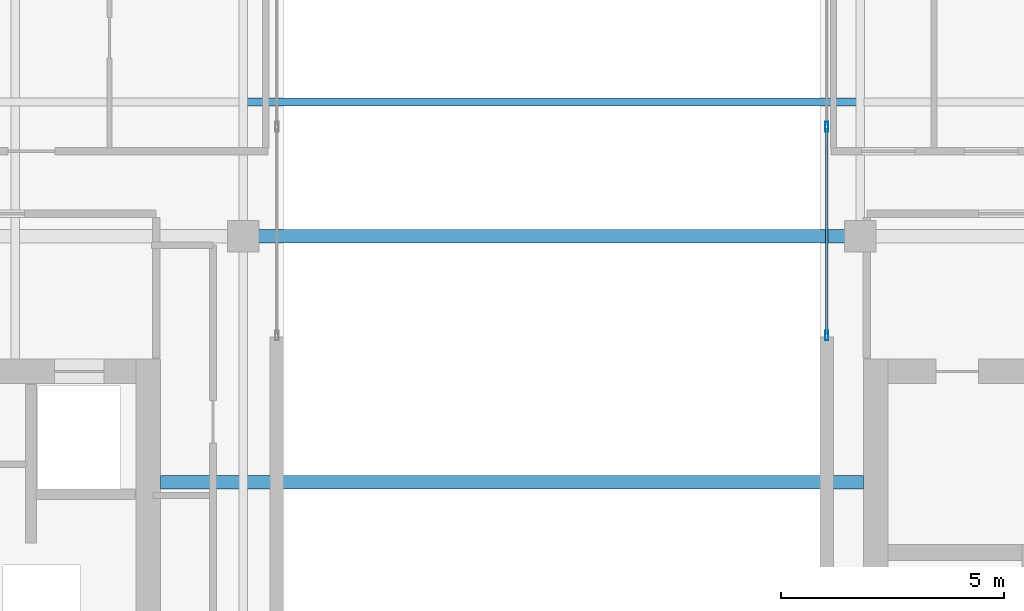
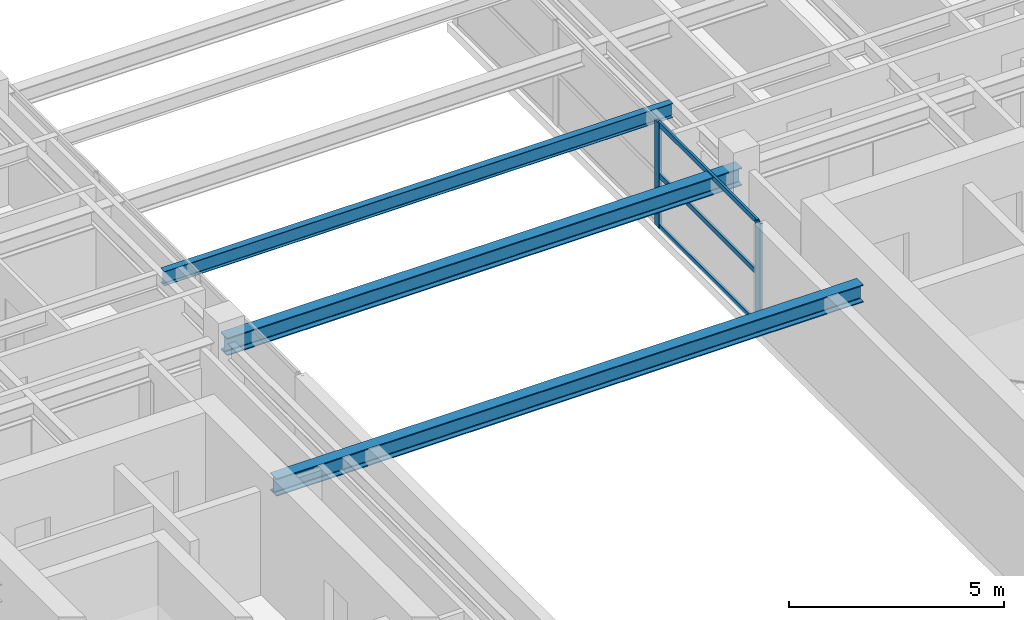
# One storey, part 11 of 25: 5 members, 3 beams, 1 element without a shape of its own.
"""IFC4 building model written with IfcOpenShell, lengths in metres."""

from ifc_helpers import new_model, si_unit, direction, frame, origin, origin_2d, place, context, subcontext, project, spatial, hollow_rectangle, i_section, extrude, source, transform, mapped, material, layer, layer_set, material_profile, profile_set, type_object, element, aggregate, save


model = new_model("IFC4")

# Units and contexts
model_context = context("Model", 3, precision=1e-05, world=origin(), true_north=direction((0.0, 1.0)))
body_context = subcontext(model_context, "Body", "Model", "MODEL_VIEW")
ifc_project = project(units=[si_unit("LENGTHUNIT", "METRE"), si_unit("AREAUNIT", "SQUARE_METRE"), si_unit("VOLUMEUNIT", "CUBIC_METRE"), si_unit("PLANEANGLEUNIT", "RADIAN"), si_unit("MASSUNIT", "GRAM", prefix="KILO")], contexts=[model_context])

# Site, building, storey
site_placement = place(None, origin())
site = spatial("IfcSite", under=ifc_project, at=site_placement, CompositionType="ELEMENT")
building_placement = place(site_placement, origin())
building = spatial("IfcBuilding", under=site, at=building_placement, Name="Khoralis Quay Care Tower", CompositionType="ELEMENT")
storey_placement = place(building_placement, frame((0.0, 0.0, 263.699951171875)))
storey = spatial("IfcBuildingStorey", under=building, at=storey_placement, Name="L69", CompositionType="ELEMENT", Elevation=263.699951171875)

# Beams
ifc_material_1 = material(Name="Steel S355", Category="steel")
ifc_material_profile_1 = material_profile(ifc_material_1, i_section(OverallWidth=0.300048828125, OverallDepth=0.5, WebThickness=0.014404296875, FlangeThickness=0.028076171875, FilletRadius=0.027099609375, at=origin_2d()), Name="Steel S355")
ifc_profile_set_1 = profile_set([ifc_material_profile_1], Name="Steel S355")
beam_type_1 = type_object("IfcBeamType", Name="BM-HEB500", PredefinedType="BEAM", material=ifc_profile_set_1)
shared_shape_1 = source(origin(), body_context, "Body", "SweptSolid", [
    extrude(i_section(OverallWidth=0.300048828125, OverallDepth=0.5, WebThickness=0.014404296875, FlangeThickness=0.028076171875, FilletRadius=0.027099609375, at=origin_2d()), origin(), (0.0, 0.0, 1.0), 13.7998046875),
])
beam_1_placement = place(storey_placement, frame((17.10009765625, 30.0, 2.699951171875), z_axis=(1.0, 0.0, 0.0), x_axis=(0.0, 1.0, 0.0)))
element("IfcBeam", 1, at=beam_1_placement, inside=storey, type_object=beam_type_1, Name="BM-TGCC-L69-300", PredefinedType="BEAM", context=body_context, shape_type="MappedRepresentation", body=[
    mapped(shared_shape_1, transform((0.0, 0.0, 0.0), scale=1.0)),
])
shared_shape_2 = source(origin(), body_context, "Body", "SweptSolid", [
    extrude(i_section(OverallWidth=0.300048828125, OverallDepth=0.5, WebThickness=0.014404296875, FlangeThickness=0.028076171875, FilletRadius=0.027099609375, at=origin_2d()), origin(), (0.0, 0.0, 1.0), 15.723876953125),
])
beam_2_placement = place(storey_placement, frame((15.248046875, 24.5, 2.699951171875), z_axis=(1.0, 0.0, 0.0), x_axis=(0.0, 1.0, 0.0)))
element("IfcBeam", 2, at=beam_2_placement, inside=storey, type_object=beam_type_1, Name="BM-TGCC-L69-245", PredefinedType="BEAM", context=body_context, shape_type="MappedRepresentation", body=[
    mapped(shared_shape_2, transform((0.0, 0.0, 0.0), scale=1.0)),
])
ifc_material_profile_2 = material_profile(ifc_material_1, i_section(OverallWidth=0.177978515625, OverallDepth=0.406982421875, WebThickness=0.0078125, FlangeThickness=0.0126953125, FilletRadius=0.012939453125, at=origin_2d()), Name="Steel S355")
ifc_profile_set_2 = profile_set([ifc_material_profile_2], Name="Steel S355")
beam_type_2 = type_object("IfcBeamType", Name="BM-W410X60", PredefinedType="JOIST", material=ifc_profile_set_2)
shared_shape_3 = source(origin(), body_context, "Body", "SweptSolid", [
    extrude(i_section(OverallWidth=0.177978515625, OverallDepth=0.406982421875, WebThickness=0.0078125, FlangeThickness=0.0126953125, FilletRadius=0.012939453125, at=origin_2d()), origin(), (0.0, 0.0, 1.0), 13.6318359375),
])
beam_3_placement = place(storey_placement, frame((17.18408203125, 33.0, 2.74658203125), z_axis=(1.0, 0.0, 0.0), x_axis=(0.0, 1.0, 0.0)))
element("IfcBeam", 3, at=beam_3_placement, inside=storey, type_object=beam_type_2, Name="BM-TJS-L69-24", PredefinedType="JOIST", context=body_context, shape_type="MappedRepresentation", body=[
    mapped(shared_shape_3, transform((0.0, 0.0, 0.0), scale=1.0)),
])

# Curtain wall, members
ifc_material_2 = material(Name="Pale anodised aluminium", Category="aluminium")
ifc_layer = layer(ifc_material_2, 0.18994140625)
ifc_layer_set = layer_set([ifc_layer], Name="Pale anodised aluminium")
curtain_wall_type = type_object("IfcCurtainWallType", Name="CW-SYS-PORTAL", PredefinedType="NOTDEFINED", material=ifc_layer_set)
curtain_wall_placement = place(storey_placement, origin())
curtain_wall = element("IfcCurtainWall", 4, at=curtain_wall_placement, inside=storey, type_object=curtain_wall_type, Name="L69 Unitised Curtain Wall CW-VP-L69-P2-N", PredefinedType="NOTDEFINED")
ifc_material_profile_3 = material_profile(ifc_material_2, hollow_rectangle(XDim=0.06005859375, YDim=0.139892578125, WallThickness=0.00390625, at=origin_2d()), Name="Pale anodised aluminium")
ifc_profile_set_3 = profile_set([ifc_material_profile_3], Name="Pale anodised aluminium")
member_type_1 = type_object("IfcMemberType", Name="CW-TRN-140", PredefinedType="USERDEFINED", material=ifc_profile_set_3)
shared_shape_4 = source(origin(), body_context, "Body", "SweptSolid", [
    extrude(hollow_rectangle(XDim=0.06005859375, YDim=0.139892578125, WallThickness=0.00390625, at=origin_2d()), origin(), (0.0, 0.0, 1.0), 4.60986328125),
])
member_1_placement = place(storey_placement, frame((30.14990234375, 27.81005859375, 0.030029296875), z_axis=(0.0, 1.0, 0.0), x_axis=(-1.0, 0.0, 0.0)))
member_1 = element("IfcMember", 5, at=member_1_placement, type_object=member_type_1, Name="CW4 transom 1.1", ObjectType="TRANSOM", PredefinedType="USERDEFINED", context=body_context, shape_type="MappedRepresentation", body=[
    mapped(shared_shape_4, transform((0.0, 0.0, 0.0), scale=1.0)),
])
member_2_placement = place(storey_placement, frame((30.14990234375, 27.81005859375, 1.47509765625), z_axis=(0.0, 1.0, 0.0), x_axis=(-1.0, 0.0, 0.0)))
member_2 = element("IfcMember", 6, at=member_2_placement, type_object=member_type_1, Name="CW4 transom 1.2", ObjectType="TRANSOM", PredefinedType="USERDEFINED", context=body_context, shape_type="MappedRepresentation", body=[
    mapped(shared_shape_4, transform((0.0, 0.0, 0.0), scale=1.0)),
])
member_3_placement = place(storey_placement, frame((30.14990234375, 27.81005859375, 2.920166015625), z_axis=(0.0, 1.0, 0.0), x_axis=(-1.0, 0.0, 0.0)))
member_3 = element("IfcMember", 7, at=member_3_placement, type_object=member_type_1, Name="CW4 transom 1.3", ObjectType="TRANSOM", PredefinedType="USERDEFINED", context=body_context, shape_type="MappedRepresentation", body=[
    mapped(shared_shape_4, transform((0.0, 0.0, 0.0), scale=1.0)),
])
ifc_material_profile_4 = material_profile(ifc_material_2, hollow_rectangle(XDim=0.074951171875, YDim=0.219970703125, WallThickness=0.00390625, at=origin_2d()), Name="Pale anodised aluminium")
ifc_profile_set_4 = profile_set([ifc_material_profile_4], Name="Pale anodised aluminium")
member_type_2 = type_object("IfcMemberType", Name="CW-MUL-220", PredefinedType="MULLION", material=ifc_profile_set_4)
shared_shape_5 = source(origin(), body_context, "Body", "SweptSolid", [
    extrude(hollow_rectangle(XDim=0.074951171875, YDim=0.219970703125, WallThickness=0.00390625, at=origin_2d()), origin(), (0.0, 0.0, 1.0), 2.949951171875),
])
member_4_placement = place(storey_placement, frame((30.14990234375, 27.780029296875, 0.0), z_axis=(0.0, 0.0, 1.0), x_axis=(-1.0, 0.0, 0.0)))
member_4 = element("IfcMember", 8, at=member_4_placement, type_object=member_type_2, Name="CW4 mullion 1", PredefinedType="MULLION", context=body_context, shape_type="MappedRepresentation", body=[
    mapped(shared_shape_5, transform((0.0, 0.0, 0.0), scale=1.0)),
])
member_5_placement = place(storey_placement, frame((30.14990234375, 32.449951171875, 0.0), z_axis=(0.0, 0.0, 1.0), x_axis=(-1.0, 0.0, 0.0)))
member_5 = element("IfcMember", 9, at=member_5_placement, type_object=member_type_2, Name="CW4 mullion 2", PredefinedType="MULLION", context=body_context, shape_type="MappedRepresentation", body=[
    mapped(shared_shape_5, transform((0.0, 0.0, 0.0), scale=1.0)),
])
aggregate(curtain_wall, [member_4, member_5, member_1, member_2, member_3])

save(model, "model.ifc")
